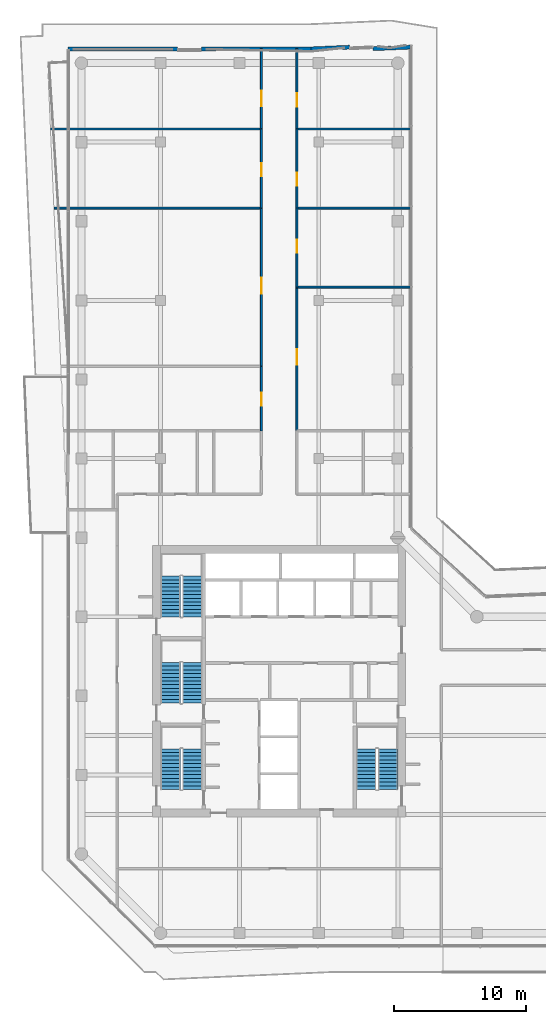
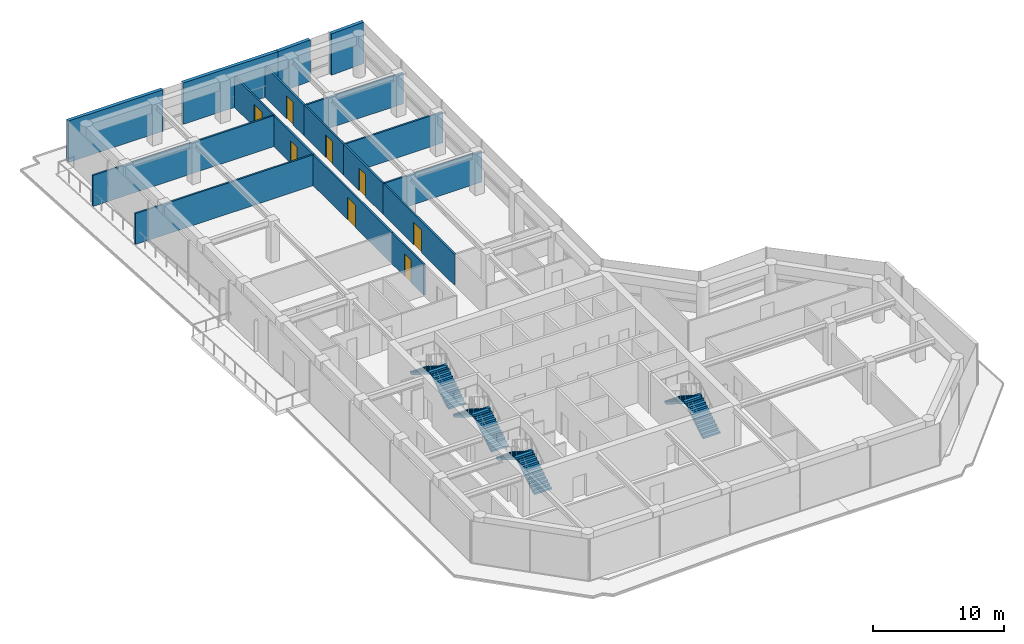
# One storey, part 19 of 21: 17 walls, 8 doors, 8 stair flights, 8 openings, 4 elements without a shape of their own.
"""IFC4 building model written with IfcOpenShell, lengths in metres."""

from ifc_helpers import new_model, si_unit, direction, frame, frame_2d, origin, place, context, subcontext, project, spatial, polyline, rectangle, outline, extrude, material, layer, layer_set, type_object, element, fill, aggregate, save


model = new_model("IFC4")

# Units and contexts
model_context = context("Model", 3, precision=1e-05, world=origin(), true_north=direction((0.0, 1.0)))
body_context = subcontext(model_context, "Body", "Model", "MODEL_VIEW")
ifc_project = project(units=[si_unit("LENGTHUNIT", "METRE"), si_unit("AREAUNIT", "SQUARE_METRE"), si_unit("VOLUMEUNIT", "CUBIC_METRE"), si_unit("PLANEANGLEUNIT", "RADIAN"), si_unit("MASSUNIT", "GRAM", prefix="KILO")], contexts=[model_context])

# Site, building, storey
site_placement = place(None, origin())
site = spatial("IfcSite", under=ifc_project, at=site_placement, CompositionType="ELEMENT")
building_placement = place(site_placement, origin())
building = spatial("IfcBuilding", under=site, at=building_placement, Name="Welwitschia Terrace Campus", CompositionType="ELEMENT")
storey_placement = place(building_placement, frame((0.0, 0.0, 180.199951171875)))
storey = spatial("IfcBuildingStorey", under=building, at=storey_placement, Name="L40", CompositionType="ELEMENT", Elevation=180.199951171875)

# Walls
ifc_material_1 = material(Name="Gypsum board on steel studs", Category="steel")
ifc_layer_1 = layer(ifc_material_1, 0.14990234375)
ifc_layer_set_1 = layer_set([ifc_layer_1], Name="Gypsum board on steel studs")
wall_type_1 = type_object("IfcWallType", Name="Corridor partition 150 EI 30", PredefinedType="PARTITIONING", material=ifc_layer_set_1)
wall_1_placement = place(storey_placement, frame((-2.330078125, 57.0, 0.0), z_axis=(0.0, 0.0, 1.0), x_axis=(1.0, 0.0, 0.0)))
element("IfcWall", 1, at=wall_1_placement, inside=storey, type_object=wall_type_1, Name="Partition", PredefinedType="PARTITIONING", context=body_context, shape_type="SweptSolid", body=[
    extrude(rectangle(XDim=15.97998046875, YDim=0.14990234375, at=frame_2d((7.989990234375, 0.0))), origin(), (0.0, 0.0, 1.0), 2.880126953125),
])
wall_2_placement = place(storey_placement, frame((-2.070068359375, 51.0, 0.0), z_axis=(0.0, 0.0, 1.0), x_axis=(1.0, 0.0, 0.0)))
element("IfcWall", 2, at=wall_2_placement, inside=storey, type_object=wall_type_1, Name="Partition", PredefinedType="PARTITIONING", context=body_context, shape_type="SweptSolid", body=[
    extrude(rectangle(XDim=15.719970703125, YDim=0.14990234375, at=frame_2d((7.85986328125, 0.0))), origin(), (0.0, 0.0, 1.0), 2.880126953125),
])

# Wall, opening, door
wall_3_placement = place(storey_placement, frame((13.64990234375, 34.10009765625, 0.0), z_axis=(0.0, 0.0, 1.0), x_axis=(0.0, 1.0, 0.0)))
wall_3 = element("IfcWall", 3, at=wall_3_placement, inside=storey, type_object=wall_type_1, Name="Partition", PredefinedType="PARTITIONING", context=body_context, shape_type="SweptSolid", body=[
    extrude(rectangle(XDim=4.89990234375, YDim=0.14990234375, at=frame_2d((2.449951171875, 0.0))), origin(), (0.0, 0.0, 1.0), 2.880126953125),
])
opening_1_placement = place(wall_3_placement, frame((1.89990234375, 0.0, 0.0)))
opening_1 = element("IfcOpeningElement", 4, at=opening_1_placement, cuts=wall_3, Name="Opening DI10", PredefinedType="OPENING", context=body_context, shape_type="SweptSolid", body=[
    extrude(rectangle(XDim=1.0, YDim=2.10009765625, at=frame_2d((0.5, 1.050048828125))), frame((0.0, 0.0849609375, 0.0), z_axis=(0.0, -1.0, 0.0), x_axis=(1.0, 0.0, 0.0)), (0.0, 0.0, 1.0), 0.169921875),
])
ifc_material_2 = material(Name="Timber veneered door", Category="wood")
door_type_1 = type_object("IfcDoorType", Name="Interior door DI10", OperationType="NOTDEFINED", PredefinedType="DOOR", material=ifc_material_2)
door_1_placement = place(opening_1_placement, origin())
door_1 = element("IfcDoor", 5, at=door_1_placement, inside=storey, type_object=door_type_1, Name="Door L40 796", OperationType="SINGLE_SWING_LEFT", OverallHeight=2.10009765625, OverallWidth=1.0, PredefinedType="DOOR", context=body_context, shape_type="SweptSolid", body=[
    extrude(rectangle(XDim=1.0, YDim=2.10009765625, at=frame_2d((0.5, 1.050048828125))), frame((0.0, 0.02490234375, 0.0), z_axis=(0.0, -1.0, 0.0), x_axis=(1.0, 0.0, 0.0)), (0.0, 0.0, 1.0), 0.050048828125),
])
fill(opening_1, door_1)

wall_4_placement = place(storey_placement, frame((13.64990234375, 51.0, 0.0), z_axis=(0.0, 0.0, 1.0), x_axis=(0.0, -1.0, 0.0)))
wall_4 = element("IfcWall", 6, at=wall_4_placement, inside=storey, type_object=wall_type_1, Name="Partition", PredefinedType="PARTITIONING", context=body_context, shape_type="SweptSolid", body=[
    extrude(rectangle(XDim=12.0, YDim=0.14990234375, at=frame_2d((6.0, 0.0))), origin(), (0.0, 0.0, 1.0), 2.880126953125),
])
opening_2_placement = place(wall_4_placement, frame((5.300048828125, 0.0, 0.0)))
opening_2 = element("IfcOpeningElement", 7, at=opening_2_placement, cuts=wall_4, Name="Opening DI12", PredefinedType="OPENING", context=body_context, shape_type="SweptSolid", body=[
    extrude(rectangle(XDim=1.199951171875, YDim=2.10009765625, at=frame_2d((0.60009765625, 1.050048828125))), frame((0.0, 0.0849609375, 0.0), z_axis=(0.0, -1.0, 0.0), x_axis=(1.0, 0.0, 0.0)), (0.0, 0.0, 1.0), 0.169921875),
])
ifc_material_3 = material(Name="Timber veneered door", Category="wood")
door_type_2 = type_object("IfcDoorType", Name="Interior door DI12", OperationType="NOTDEFINED", PredefinedType="DOOR", material=ifc_material_3)
door_2_placement = place(opening_2_placement, origin())
door_2 = element("IfcDoor", 8, at=door_2_placement, inside=storey, type_object=door_type_2, Name="Door L40 797", OperationType="SINGLE_SWING_RIGHT", OverallHeight=2.10009765625, OverallWidth=1.199951171875, PredefinedType="DOOR", context=body_context, shape_type="SweptSolid", body=[
    extrude(rectangle(XDim=1.199951171875, YDim=2.10009765625, at=frame_2d((0.60009765625, 1.050048828125))), frame((0.0, 0.02490234375, 0.0), z_axis=(0.0, -1.0, 0.0), x_axis=(1.0, 0.0, 0.0)), (0.0, 0.0, 1.0), 0.050048828125),
])
fill(opening_2, door_2)

wall_5_placement = place(storey_placement, frame((13.64990234375, 51.0, 0.0), z_axis=(0.0, 0.0, 1.0), x_axis=(0.0, 1.0, 0.0)))
wall_5 = element("IfcWall", 9, at=wall_5_placement, inside=storey, type_object=wall_type_1, Name="Partition", PredefinedType="PARTITIONING", context=body_context, shape_type="SweptSolid", body=[
    extrude(rectangle(XDim=6.0, YDim=0.14990234375, at=frame_2d((3.0, 0.0))), origin(), (0.0, 0.0, 1.0), 2.880126953125),
])
opening_3_placement = place(wall_5_placement, frame((2.39990234375, 0.0, 0.0)))
opening_3 = element("IfcOpeningElement", 10, at=opening_3_placement, cuts=wall_5, Name="Opening DI10", PredefinedType="OPENING", context=body_context, shape_type="SweptSolid", body=[
    extrude(rectangle(XDim=1.0, YDim=2.10009765625, at=frame_2d((0.5, 1.050048828125))), frame((0.0, 0.0849609375, 0.0), z_axis=(0.0, -1.0, 0.0), x_axis=(1.0, 0.0, 0.0)), (0.0, 0.0, 1.0), 0.169921875),
])
door_3_placement = place(opening_3_placement, origin())
door_3 = element("IfcDoor", 11, at=door_3_placement, inside=storey, type_object=door_type_1, Name="Door L40 798", OperationType="SINGLE_SWING_LEFT", OverallHeight=2.10009765625, OverallWidth=1.0, PredefinedType="DOOR", context=body_context, shape_type="SweptSolid", body=[
    extrude(rectangle(XDim=1.0, YDim=2.10009765625, at=frame_2d((0.5, 1.050048828125))), frame((0.0, 0.02490234375, 0.0), z_axis=(0.0, -1.0, 0.0), x_axis=(1.0, 0.0, 0.0)), (0.0, 0.0, 1.0), 0.050048828125),
])
fill(opening_3, door_3)

wall_6_placement = place(storey_placement, frame((13.64990234375, 63.090087890625, 0.0), z_axis=(0.0, 0.0, 1.0), x_axis=(0.0, -1.0, 0.0)))
wall_6 = element("IfcWall", 12, at=wall_6_placement, inside=storey, type_object=wall_type_1, Name="Partition", PredefinedType="PARTITIONING", context=body_context, shape_type="SweptSolid", body=[
    extrude(rectangle(XDim=6.090087890625, YDim=0.14990234375, at=frame_2d((3.044921875, 0.0))), origin(), (0.0, 0.0, 1.0), 2.880126953125),
])
opening_4_placement = place(wall_6_placement, frame((3.169921875, 0.0, 0.0)))
opening_4 = element("IfcOpeningElement", 13, at=opening_4_placement, cuts=wall_6, Name="Opening DI12", PredefinedType="OPENING", context=body_context, shape_type="SweptSolid", body=[
    extrude(rectangle(XDim=1.199951171875, YDim=2.10009765625, at=frame_2d((0.60009765625, 1.050048828125))), frame((0.0, 0.0849609375, 0.0), z_axis=(0.0, -1.0, 0.0), x_axis=(1.0, 0.0, 0.0)), (0.0, 0.0, 1.0), 0.169921875),
])
door_4_placement = place(opening_4_placement, origin())
door_4 = element("IfcDoor", 14, at=door_4_placement, inside=storey, type_object=door_type_2, Name="Door L40 799", OperationType="SINGLE_SWING_RIGHT", OverallHeight=2.10009765625, OverallWidth=1.199951171875, PredefinedType="DOOR", context=body_context, shape_type="SweptSolid", body=[
    extrude(rectangle(XDim=1.199951171875, YDim=2.10009765625, at=frame_2d((0.60009765625, 1.050048828125))), frame((0.0, 0.02490234375, 0.0), z_axis=(0.0, -1.0, 0.0), x_axis=(1.0, 0.0, 0.0)), (0.0, 0.0, 1.0), 0.050048828125),
])
fill(opening_4, door_4)

wall_7_placement = place(storey_placement, frame((16.35009765625, 34.10009765625, 0.0), z_axis=(0.0, 0.0, 1.0), x_axis=(0.0, 1.0, 0.0)))
wall_7 = element("IfcWall", 15, at=wall_7_placement, inside=storey, type_object=wall_type_1, Name="Partition", PredefinedType="PARTITIONING", context=body_context, shape_type="SweptSolid", body=[
    extrude(rectangle(XDim=10.89990234375, YDim=0.14990234375, at=frame_2d((5.449951171875, 0.0))), origin(), (0.0, 0.0, 1.0), 2.880126953125),
])
opening_5_placement = place(wall_7_placement, frame((5.0, 0.0, 0.0)))
opening_5 = element("IfcOpeningElement", 16, at=opening_5_placement, cuts=wall_7, Name="Opening DI12", PredefinedType="OPENING", context=body_context, shape_type="SweptSolid", body=[
    extrude(rectangle(XDim=1.199951171875, YDim=2.10009765625, at=frame_2d((0.60009765625, 1.050048828125))), frame((0.0, 0.0849609375, 0.0), z_axis=(0.0, -1.0, 0.0), x_axis=(1.0, 0.0, 0.0)), (0.0, 0.0, 1.0), 0.169921875),
])
door_5_placement = place(opening_5_placement, origin())
door_5 = element("IfcDoor", 17, at=door_5_placement, inside=storey, type_object=door_type_2, Name="Door L40 800", OperationType="SINGLE_SWING_LEFT", OverallHeight=2.10009765625, OverallWidth=1.199951171875, PredefinedType="DOOR", context=body_context, shape_type="SweptSolid", body=[
    extrude(rectangle(XDim=1.199951171875, YDim=2.10009765625, at=frame_2d((0.60009765625, 1.050048828125))), frame((0.0, 0.02490234375, 0.0), z_axis=(0.0, -1.0, 0.0), x_axis=(1.0, 0.0, 0.0)), (0.0, 0.0, 1.0), 0.050048828125),
])
fill(opening_5, door_5)

# Wall
wall_8_placement = place(storey_placement, frame((16.35009765625, 45.0, 0.0), z_axis=(0.0, 0.0, 1.0), x_axis=(1.0, 0.0, 0.0)))
element("IfcWall", 18, at=wall_8_placement, inside=storey, type_object=wall_type_1, Name="Partition", PredefinedType="PARTITIONING", context=body_context, shape_type="SweptSolid", body=[
    extrude(rectangle(XDim=8.614990234375, YDim=0.14990234375, at=frame_2d((4.3076171875, 0.0))), origin(), (0.0, 0.0, 1.0), 2.880126953125),
])

# Wall, opening, door
wall_9_placement = place(storey_placement, frame((16.35009765625, 51.0, 0.0), z_axis=(0.0, 0.0, 1.0), x_axis=(0.0, -1.0, 0.0)))
wall_9 = element("IfcWall", 19, at=wall_9_placement, inside=storey, type_object=wall_type_1, Name="Partition", PredefinedType="PARTITIONING", context=body_context, shape_type="SweptSolid", body=[
    extrude(rectangle(XDim=6.0, YDim=0.14990234375, at=frame_2d((3.0, 0.0))), origin(), (0.0, 0.0, 1.0), 2.880126953125),
])
opening_6_placement = place(wall_9_placement, frame((2.39990234375, 0.0, 0.0)))
opening_6 = element("IfcOpeningElement", 20, at=opening_6_placement, cuts=wall_9, Name="Opening DI10", PredefinedType="OPENING", context=body_context, shape_type="SweptSolid", body=[
    extrude(rectangle(XDim=1.0, YDim=2.10009765625, at=frame_2d((0.5, 1.050048828125))), frame((0.0, 0.0849609375, 0.0), z_axis=(0.0, -1.0, 0.0), x_axis=(1.0, 0.0, 0.0)), (0.0, 0.0, 1.0), 0.169921875),
])
door_6_placement = place(opening_6_placement, origin())
door_6 = element("IfcDoor", 21, at=door_6_placement, inside=storey, type_object=door_type_1, Name="Door L40 801", OperationType="SINGLE_SWING_RIGHT", OverallHeight=2.10009765625, OverallWidth=1.0, PredefinedType="DOOR", context=body_context, shape_type="SweptSolid", body=[
    extrude(rectangle(XDim=1.0, YDim=2.10009765625, at=frame_2d((0.5, 1.050048828125))), frame((0.0, 0.02490234375, 0.0), z_axis=(0.0, -1.0, 0.0), x_axis=(1.0, 0.0, 0.0)), (0.0, 0.0, 1.0), 0.050048828125),
])
fill(opening_6, door_6)

# Wall
wall_10_placement = place(storey_placement, frame((16.35009765625, 51.0, 0.0), z_axis=(0.0, 0.0, 1.0), x_axis=(1.0, 0.0, 0.0)))
element("IfcWall", 22, at=wall_10_placement, inside=storey, type_object=wall_type_1, Name="Partition", PredefinedType="PARTITIONING", context=body_context, shape_type="SweptSolid", body=[
    extrude(rectangle(XDim=8.6298828125, YDim=0.14990234375, at=frame_2d((4.31494140625, 0.0))), origin(), (0.0, 0.0, 1.0), 2.880126953125),
])

# Wall, opening, door
wall_11_placement = place(storey_placement, frame((16.35009765625, 57.0, 0.0), z_axis=(0.0, 0.0, 1.0), x_axis=(0.0, -1.0, 0.0)))
wall_11 = element("IfcWall", 23, at=wall_11_placement, inside=storey, type_object=wall_type_1, Name="Partition", PredefinedType="PARTITIONING", context=body_context, shape_type="SweptSolid", body=[
    extrude(rectangle(XDim=6.0, YDim=0.14990234375, at=frame_2d((3.0, 0.0))), origin(), (0.0, 0.0, 1.0), 2.880126953125),
])
opening_7_placement = place(wall_11_placement, frame((3.300048828125, 0.0, 0.0)))
opening_7 = element("IfcOpeningElement", 24, at=opening_7_placement, cuts=wall_11, Name="Opening DI10", PredefinedType="OPENING", context=body_context, shape_type="SweptSolid", body=[
    extrude(rectangle(XDim=1.0, YDim=2.10009765625, at=frame_2d((0.5, 1.050048828125))), frame((0.0, 0.0849609375, 0.0), z_axis=(0.0, -1.0, 0.0), x_axis=(1.0, 0.0, 0.0)), (0.0, 0.0, 1.0), 0.169921875),
])
door_7_placement = place(opening_7_placement, origin())
door_7 = element("IfcDoor", 25, at=door_7_placement, inside=storey, type_object=door_type_1, Name="Door L40 802", OperationType="SINGLE_SWING_LEFT", OverallHeight=2.10009765625, OverallWidth=1.0, PredefinedType="DOOR", context=body_context, shape_type="SweptSolid", body=[
    extrude(rectangle(XDim=1.0, YDim=2.10009765625, at=frame_2d((0.5, 1.050048828125))), frame((0.0, 0.02490234375, 0.0), z_axis=(0.0, -1.0, 0.0), x_axis=(1.0, 0.0, 0.0)), (0.0, 0.0, 1.0), 0.050048828125),
])
fill(opening_7, door_7)

# Wall
wall_12_placement = place(storey_placement, frame((16.35009765625, 57.0, 0.0), z_axis=(0.0, 0.0, 1.0), x_axis=(1.0, 0.0, 0.0)))
element("IfcWall", 26, at=wall_12_placement, inside=storey, type_object=wall_type_1, Name="Partition", PredefinedType="PARTITIONING", context=body_context, shape_type="SweptSolid", body=[
    extrude(rectangle(XDim=8.6298828125, YDim=0.14990234375, at=frame_2d((4.31494140625, 0.0))), origin(), (0.0, 0.0, 1.0), 2.880126953125),
])

# Wall, opening, door
wall_13_placement = place(storey_placement, frame((16.35009765625, 63.090087890625, 0.0), z_axis=(0.0, 0.0, 1.0), x_axis=(0.0, -1.0, 0.0)))
wall_13 = element("IfcWall", 27, at=wall_13_placement, inside=storey, type_object=wall_type_1, Name="Partition", PredefinedType="PARTITIONING", context=body_context, shape_type="SweptSolid", body=[
    extrude(rectangle(XDim=6.090087890625, YDim=0.14990234375, at=frame_2d((3.044921875, 0.0))), origin(), (0.0, 0.0, 1.0), 2.880126953125),
])
opening_8_placement = place(wall_13_placement, frame((3.389892578125, 0.0, 0.0)))
opening_8 = element("IfcOpeningElement", 28, at=opening_8_placement, cuts=wall_13, Name="Opening DI10", PredefinedType="OPENING", context=body_context, shape_type="SweptSolid", body=[
    extrude(rectangle(XDim=1.0, YDim=2.10009765625, at=frame_2d((0.5, 1.050048828125))), frame((0.0, 0.0849609375, 0.0), z_axis=(0.0, -1.0, 0.0), x_axis=(1.0, 0.0, 0.0)), (0.0, 0.0, 1.0), 0.169921875),
])
door_8_placement = place(opening_8_placement, origin())
door_8 = element("IfcDoor", 29, at=door_8_placement, inside=storey, type_object=door_type_1, Name="Door L40 803", OperationType="SINGLE_SWING_RIGHT", OverallHeight=2.10009765625, OverallWidth=1.0, PredefinedType="DOOR", context=body_context, shape_type="SweptSolid", body=[
    extrude(rectangle(XDim=1.0, YDim=2.10009765625, at=frame_2d((0.5, 1.050048828125))), frame((0.0, 0.02490234375, 0.0), z_axis=(0.0, -1.0, 0.0), x_axis=(1.0, 0.0, 0.0)), (0.0, 0.0, 1.0), 0.050048828125),
])
fill(opening_8, door_8)

# Walls
ifc_material_4 = material(Name="Concrete C40/50", Category="concrete")
ifc_layer_2 = layer(ifc_material_4, 0.300048828125)
ifc_layer_set_2 = layer_set([ifc_layer_2], Name="Concrete C40/50")
wall_type_2 = type_object("IfcWallType", Name="Mass wall 300", PredefinedType="SOLIDWALL", material=ifc_layer_set_2)
wall_14_placement = place(storey_placement, frame((25.03662109375, 63.212646484375, 0.0), z_axis=(0.0, 0.0, 1.0), x_axis=(-0.999048387851, -0.043615579018, 0.0)))
element("IfcWall", 30, at=wall_14_placement, inside=storey, type_object=wall_type_2, Name="Mass wall L40.8.0", PredefinedType="SOLIDWALL", context=body_context, shape_type="SweptSolid", body=[
    extrude(rectangle(XDim=2.91064453125, YDim=0.300048828125, at=frame_2d((1.455322265625, 0.0))), origin(), (0.0, 0.0, 1.0), 3.85009765625),
])
wall_15_placement = place(storey_placement, frame((20.321533203125, 63.206787109375, 0.0), z_axis=(0.0, 0.0, 1.0), x_axis=(-0.999051880213, -0.043535510145, 0.0)))
element("IfcWall", 31, at=wall_15_placement, inside=storey, type_object=wall_type_2, Name="Mass wall L40.8.1", PredefinedType="SOLIDWALL", context=body_context, shape_type="SweptSolid", body=[
    extrude(rectangle(XDim=2.910400390625, YDim=0.300048828125, at=frame_2d((1.455078125, 0.0))), origin(), (0.0, 0.0, 1.0), 3.85009765625),
])
for number, where, z_axis, x_axis, name in (
    (32, (17.416015625, 63.080078125, 0.0), (0.0, 0.0, 1.0), (-1.0, 0.0, 0.0), "Mass wall L40.9.0"),
    (33, (7.29296875, 63.078125, 0.0), (0.0, 0.0, 1.0), (-1.0, 0.0, 0.0), "Mass wall L40.9.1"),
):
    element("IfcWall", number, at=place(storey_placement, frame(where, z_axis=z_axis, x_axis=x_axis)), inside=storey, type_object=wall_type_2, Name=name, PredefinedType="SOLIDWALL", context=body_context, shape_type="SweptSolid", body=[
        extrude(rectangle(XDim=8.322998046875, YDim=0.300048828125, at=frame_2d((4.16162109375, 0.0))), origin(), (0.0, 0.0, 1.0), 3.85009765625),
    ])

# Stair, stair flights
ifc_material_5 = material(Name="Concrete C40/50", Category="concrete")
stair_type = type_object("IfcStairType", Name="Stair 24R 175 W1500", PredefinedType="HALF_TURN_STAIR", material=ifc_material_5)
stair_1_placement = place(storey_placement, origin())
stair_1 = element("IfcStair", 34, at=stair_1_placement, inside=storey, type_object=stair_type, Name="L40 Exit stair S1", PredefinedType="HALF_TURN_STAIR")
ifc_material_6 = material(Name="Concrete C40/50", Category="concrete")
stair_flight_type = type_object("IfcStairFlightType", Name="Stair flight 24R 175 W1500", PredefinedType="STRAIGHT", material=ifc_material_6)
stair_flight_1_placement = place(storey_placement, frame((8.39990234375, 6.89990234375, 0.0), z_axis=(0.0, 0.0, 1.0), x_axis=(0.0, 1.0, 0.0)))
stair_flight_1 = element("IfcStairFlight", 35, at=stair_flight_1_placement, type_object=stair_flight_type, Name="S1 flight 1", NumberOfRisers=12, NumberOfTreads=11, PredefinedType="STRAIGHT", RiserHeight=0.175, TreadLength=0.28, context=body_context, shape_type="SweptSolid", body=[
    extrude(outline(polyline([(0.0, 0.0), (0.0, 0.175048828125), (0.280029296875, 0.175048828125), (0.280029296875, 0.35009765625), (0.56005859375, 0.35009765625), (0.56005859375, 0.52490234375), (0.840087890625, 0.52490234375), (0.840087890625, 0.699951171875), (1.1201171875, 0.699951171875), (1.1201171875, 0.875), (1.39990234375, 0.875), (1.39990234375, 1.050048828125), (1.679931640625, 1.050048828125), (1.679931640625, 1.22509765625), (1.9599609375, 1.22509765625), (1.9599609375, 1.39990234375), (2.239990234375, 1.39990234375), (2.239990234375, 1.574951171875), (2.52001953125, 1.574951171875), (2.52001953125, 1.75), (2.800048828125, 1.75), (2.800048828125, 1.925048828125), (3.080078125, 1.925048828125), (3.080078125, 2.10009765625), (3.080078125, 1.748291015625), (0.28271484375, 0.0), (0.0, 0.0)])), frame((0.0, 0.75, 0.0), z_axis=(0.0, -1.0, 0.0), x_axis=(1.0, 0.0, 0.0)), (0.0, 0.0, 1.0), 1.5),
])
stair_flight_2_placement = place(storey_placement, frame((6.75, 9.97998046875, 2.10009765625), z_axis=(0.0, 0.0, 1.0), x_axis=(0.0, -1.0, 0.0)))
stair_flight_2 = element("IfcStairFlight", 36, at=stair_flight_2_placement, type_object=stair_flight_type, Name="S1 flight 2", NumberOfRisers=12, NumberOfTreads=11, PredefinedType="STRAIGHT", RiserHeight=0.175, TreadLength=0.28, context=body_context, shape_type="SweptSolid", body=[
    extrude(outline(polyline([(0.0, 0.0), (0.0, 0.175048828125), (0.280029296875, 0.175048828125), (0.280029296875, 0.35009765625), (0.56005859375, 0.35009765625), (0.56005859375, 0.52490234375), (0.840087890625, 0.52490234375), (0.840087890625, 0.699951171875), (1.1201171875, 0.699951171875), (1.1201171875, 0.875), (1.39990234375, 0.875), (1.39990234375, 1.050048828125), (1.679931640625, 1.050048828125), (1.679931640625, 1.22509765625), (1.9599609375, 1.22509765625), (1.9599609375, 1.39990234375), (2.239990234375, 1.39990234375), (2.239990234375, 1.574951171875), (2.52001953125, 1.574951171875), (2.52001953125, 1.75), (2.800048828125, 1.75), (2.800048828125, 1.925048828125), (3.080078125, 1.925048828125), (3.080078125, 2.10009765625), (3.080078125, 1.748291015625), (0.28271484375, 0.0), (0.0, 0.0)])), frame((0.0, 0.75, 0.0), z_axis=(0.0, -1.0, 0.0), x_axis=(1.0, 0.0, 0.0)), (0.0, 0.0, 1.0), 1.5),
])
aggregate(stair_1, [stair_flight_1, stair_flight_2])

stair_2_placement = place(storey_placement, origin())
stair_2 = element("IfcStair", 37, at=stair_2_placement, inside=storey, type_object=stair_type, Name="L40 Exit stair S3", PredefinedType="HALF_TURN_STAIR")
stair_flight_3_placement = place(storey_placement, frame((8.39990234375, 13.449951171875, 0.0), z_axis=(0.0, 0.0, 1.0), x_axis=(0.0, 1.0, 0.0)))
stair_flight_3 = element("IfcStairFlight", 38, at=stair_flight_3_placement, type_object=stair_flight_type, Name="S3 flight 1", NumberOfRisers=12, NumberOfTreads=11, PredefinedType="STRAIGHT", RiserHeight=0.175, TreadLength=0.28, context=body_context, shape_type="SweptSolid", body=[
    extrude(outline(polyline([(0.0, 0.0), (0.0, 0.175048828125), (0.280029296875, 0.175048828125), (0.280029296875, 0.35009765625), (0.56005859375, 0.35009765625), (0.56005859375, 0.52490234375), (0.840087890625, 0.52490234375), (0.840087890625, 0.699951171875), (1.1201171875, 0.699951171875), (1.1201171875, 0.875), (1.39990234375, 0.875), (1.39990234375, 1.050048828125), (1.679931640625, 1.050048828125), (1.679931640625, 1.22509765625), (1.9599609375, 1.22509765625), (1.9599609375, 1.39990234375), (2.239990234375, 1.39990234375), (2.239990234375, 1.574951171875), (2.52001953125, 1.574951171875), (2.52001953125, 1.75), (2.800048828125, 1.75), (2.800048828125, 1.925048828125), (3.080078125, 1.925048828125), (3.080078125, 2.10009765625), (3.080078125, 1.748291015625), (0.28271484375, 0.0), (0.0, 0.0)])), frame((0.0, 0.75, 0.0), z_axis=(0.0, -1.0, 0.0), x_axis=(1.0, 0.0, 0.0)), (0.0, 0.0, 1.0), 1.5),
])
stair_flight_4_placement = place(storey_placement, frame((6.75, 16.530029296875, 2.10009765625), z_axis=(0.0, 0.0, 1.0), x_axis=(0.0, -1.0, 0.0)))
stair_flight_4 = element("IfcStairFlight", 39, at=stair_flight_4_placement, type_object=stair_flight_type, Name="S3 flight 2", NumberOfRisers=12, NumberOfTreads=11, PredefinedType="STRAIGHT", RiserHeight=0.175, TreadLength=0.28, context=body_context, shape_type="SweptSolid", body=[
    extrude(outline(polyline([(0.0, 0.0), (0.0, 0.175048828125), (0.280029296875, 0.175048828125), (0.280029296875, 0.35009765625), (0.56005859375, 0.35009765625), (0.56005859375, 0.52490234375), (0.840087890625, 0.52490234375), (0.840087890625, 0.699951171875), (1.1201171875, 0.699951171875), (1.1201171875, 0.875), (1.39990234375, 0.875), (1.39990234375, 1.050048828125), (1.679931640625, 1.050048828125), (1.679931640625, 1.22509765625), (1.9599609375, 1.22509765625), (1.9599609375, 1.39990234375), (2.239990234375, 1.39990234375), (2.239990234375, 1.574951171875), (2.52001953125, 1.574951171875), (2.52001953125, 1.75), (2.800048828125, 1.75), (2.800048828125, 1.925048828125), (3.080078125, 1.925048828125), (3.080078125, 2.10009765625), (3.080078125, 1.748291015625), (0.28271484375, 0.0), (0.0, 0.0)])), frame((0.0, 0.75, 0.0), z_axis=(0.0, -1.0, 0.0), x_axis=(1.0, 0.0, 0.0)), (0.0, 0.0, 1.0), 1.5),
])
aggregate(stair_2, [stair_flight_3, stair_flight_4])

stair_3_placement = place(storey_placement, origin())
stair_3 = element("IfcStair", 40, at=stair_3_placement, inside=storey, type_object=stair_type, Name="L40 Exit stair S4", PredefinedType="HALF_TURN_STAIR")
stair_flight_5_placement = place(storey_placement, frame((8.39990234375, 20.0, 0.0), z_axis=(0.0, 0.0, 1.0), x_axis=(0.0, 1.0, 0.0)))
stair_flight_5 = element("IfcStairFlight", 41, at=stair_flight_5_placement, type_object=stair_flight_type, Name="S4 flight 1", NumberOfRisers=12, NumberOfTreads=11, PredefinedType="STRAIGHT", RiserHeight=0.175, TreadLength=0.28, context=body_context, shape_type="SweptSolid", body=[
    extrude(outline(polyline([(0.0, 0.0), (0.0, 0.175048828125), (0.280029296875, 0.175048828125), (0.280029296875, 0.35009765625), (0.56005859375, 0.35009765625), (0.56005859375, 0.52490234375), (0.840087890625, 0.52490234375), (0.840087890625, 0.699951171875), (1.1201171875, 0.699951171875), (1.1201171875, 0.875), (1.39990234375, 0.875), (1.39990234375, 1.050048828125), (1.679931640625, 1.050048828125), (1.679931640625, 1.22509765625), (1.9599609375, 1.22509765625), (1.9599609375, 1.39990234375), (2.239990234375, 1.39990234375), (2.239990234375, 1.574951171875), (2.52001953125, 1.574951171875), (2.52001953125, 1.75), (2.800048828125, 1.75), (2.800048828125, 1.925048828125), (3.080078125, 1.925048828125), (3.080078125, 2.10009765625), (3.080078125, 1.748291015625), (0.28271484375, 0.0), (0.0, 0.0)])), frame((0.0, 0.75, 0.0), z_axis=(0.0, -1.0, 0.0), x_axis=(1.0, 0.0, 0.0)), (0.0, 0.0, 1.0), 1.5),
])
stair_flight_6_placement = place(storey_placement, frame((6.75, 23.080078125, 2.10009765625), z_axis=(0.0, 0.0, 1.0), x_axis=(0.0, -1.0, 0.0)))
stair_flight_6 = element("IfcStairFlight", 42, at=stair_flight_6_placement, type_object=stair_flight_type, Name="S4 flight 2", NumberOfRisers=12, NumberOfTreads=11, PredefinedType="STRAIGHT", RiserHeight=0.175, TreadLength=0.28, context=body_context, shape_type="SweptSolid", body=[
    extrude(outline(polyline([(0.0, 0.0), (0.0, 0.175048828125), (0.280029296875, 0.175048828125), (0.280029296875, 0.35009765625), (0.56005859375, 0.35009765625), (0.56005859375, 0.52490234375), (0.840087890625, 0.52490234375), (0.840087890625, 0.699951171875), (1.1201171875, 0.699951171875), (1.1201171875, 0.875), (1.39990234375, 0.875), (1.39990234375, 1.050048828125), (1.679931640625, 1.050048828125), (1.679931640625, 1.22509765625), (1.9599609375, 1.22509765625), (1.9599609375, 1.39990234375), (2.239990234375, 1.39990234375), (2.239990234375, 1.574951171875), (2.52001953125, 1.574951171875), (2.52001953125, 1.75), (2.800048828125, 1.75), (2.800048828125, 1.925048828125), (3.080078125, 1.925048828125), (3.080078125, 2.10009765625), (3.080078125, 1.748291015625), (0.28271484375, 0.0), (0.0, 0.0)])), frame((0.0, 0.75, 0.0), z_axis=(0.0, -1.0, 0.0), x_axis=(1.0, 0.0, 0.0)), (0.0, 0.0, 1.0), 1.5),
])
aggregate(stair_3, [stair_flight_5, stair_flight_6])

stair_4_placement = place(storey_placement, origin())
stair_4 = element("IfcStair", 43, at=stair_4_placement, inside=storey, type_object=stair_type, Name="L40 Exit stair S2", PredefinedType="HALF_TURN_STAIR")
stair_flight_7_placement = place(storey_placement, frame((23.25, 6.89990234375, 0.0), z_axis=(0.0, 0.0, 1.0), x_axis=(0.0, 1.0, 0.0)))
stair_flight_7 = element("IfcStairFlight", 44, at=stair_flight_7_placement, type_object=stair_flight_type, Name="S2 flight 1", NumberOfRisers=12, NumberOfTreads=11, PredefinedType="STRAIGHT", RiserHeight=0.175, TreadLength=0.28, context=body_context, shape_type="SweptSolid", body=[
    extrude(outline(polyline([(0.0, 0.0), (0.0, 0.175048828125), (0.280029296875, 0.175048828125), (0.280029296875, 0.35009765625), (0.56005859375, 0.35009765625), (0.56005859375, 0.52490234375), (0.840087890625, 0.52490234375), (0.840087890625, 0.699951171875), (1.1201171875, 0.699951171875), (1.1201171875, 0.875), (1.39990234375, 0.875), (1.39990234375, 1.050048828125), (1.679931640625, 1.050048828125), (1.679931640625, 1.22509765625), (1.9599609375, 1.22509765625), (1.9599609375, 1.39990234375), (2.239990234375, 1.39990234375), (2.239990234375, 1.574951171875), (2.52001953125, 1.574951171875), (2.52001953125, 1.75), (2.800048828125, 1.75), (2.800048828125, 1.925048828125), (3.080078125, 1.925048828125), (3.080078125, 2.10009765625), (3.080078125, 1.748291015625), (0.28271484375, 0.0), (0.0, 0.0)])), frame((0.0, 0.75, 0.0), z_axis=(0.0, -1.0, 0.0), x_axis=(1.0, 0.0, 0.0)), (0.0, 0.0, 1.0), 1.5),
])
stair_flight_8_placement = place(storey_placement, frame((21.60009765625, 9.97998046875, 2.10009765625), z_axis=(0.0, 0.0, 1.0), x_axis=(0.0, -1.0, 0.0)))
stair_flight_8 = element("IfcStairFlight", 45, at=stair_flight_8_placement, type_object=stair_flight_type, Name="S2 flight 2", NumberOfRisers=12, NumberOfTreads=11, PredefinedType="STRAIGHT", RiserHeight=0.175, TreadLength=0.28, context=body_context, shape_type="SweptSolid", body=[
    extrude(outline(polyline([(0.0, 0.0), (0.0, 0.175048828125), (0.280029296875, 0.175048828125), (0.280029296875, 0.35009765625), (0.56005859375, 0.35009765625), (0.56005859375, 0.52490234375), (0.840087890625, 0.52490234375), (0.840087890625, 0.699951171875), (1.1201171875, 0.699951171875), (1.1201171875, 0.875), (1.39990234375, 0.875), (1.39990234375, 1.050048828125), (1.679931640625, 1.050048828125), (1.679931640625, 1.22509765625), (1.9599609375, 1.22509765625), (1.9599609375, 1.39990234375), (2.239990234375, 1.39990234375), (2.239990234375, 1.574951171875), (2.52001953125, 1.574951171875), (2.52001953125, 1.75), (2.800048828125, 1.75), (2.800048828125, 1.925048828125), (3.080078125, 1.925048828125), (3.080078125, 2.10009765625), (3.080078125, 1.748291015625), (0.28271484375, 0.0), (0.0, 0.0)])), frame((0.0, 0.75, 0.0), z_axis=(0.0, -1.0, 0.0), x_axis=(1.0, 0.0, 0.0)), (0.0, 0.0, 1.0), 1.5),
])
aggregate(stair_4, [stair_flight_7, stair_flight_8])

save(model, "model.ifc")
